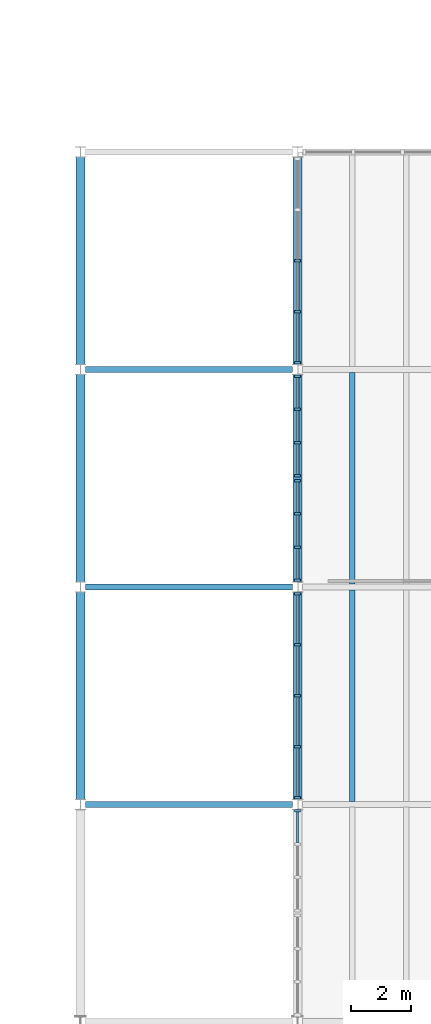
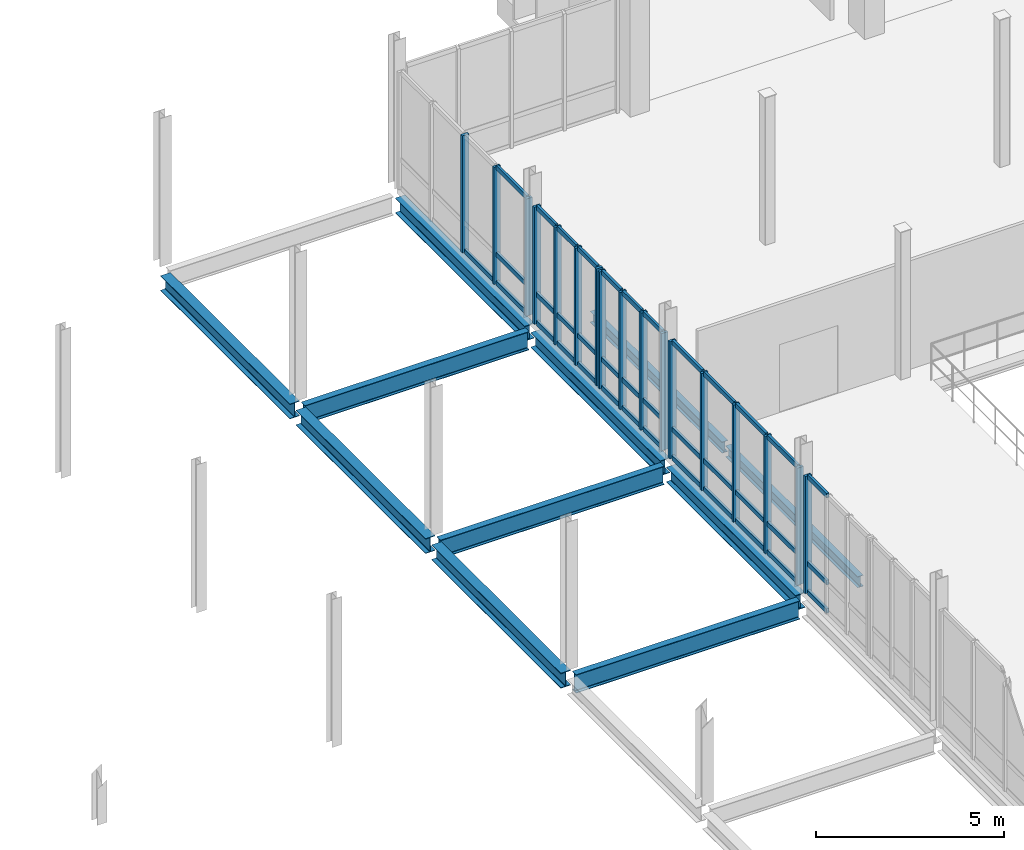
# One storey, part 33 of 77: 54 members, 11 beams, 5 elements without a shape of their own.
"""IFC4 building model written with IfcOpenShell, lengths in metres."""

from ifc_helpers import new_model, si_unit, direction, frame, origin, origin_2d, place, context, subcontext, project, spatial, rectangle, i_section, extrude, material, material_profile, profile_set, type_object, element, aggregate, save


model = new_model("IFC4")

# Units and contexts
model_context = context("Model", 3, precision=1e-05, world=origin(), true_north=direction((0.0, 1.0)))
body_context = subcontext(model_context, "Body", "Model", "MODEL_VIEW")
ifc_project = project(units=[si_unit("LENGTHUNIT", "METRE"), si_unit("AREAUNIT", "SQUARE_METRE"), si_unit("VOLUMEUNIT", "CUBIC_METRE"), si_unit("PLANEANGLEUNIT", "RADIAN"), si_unit("MASSUNIT", "GRAM", prefix="KILO")], contexts=[model_context])

# Site, building, storey
site_placement = place(None, origin())
site = spatial("IfcSite", under=ifc_project, at=site_placement, CompositionType="ELEMENT")
building_placement = place(site_placement, origin())
building = spatial("IfcBuilding", under=site, at=building_placement, Name="Qiaolan Assembly House", CompositionType="ELEMENT")
storey_placement = place(building_placement, frame((0.0, 0.0, 5.39990234375)))
storey = spatial("IfcBuildingStorey", under=building, at=storey_placement, Name="L01", CompositionType="ELEMENT", Elevation=5.39990234375)

# Beams
ifc_material_1 = material(Name="Steel Q355B", Category="steel")
ifc_material_profile_1 = material_profile(ifc_material_1, i_section(OverallWidth=0.300048828125, OverallDepth=0.488037109375, WebThickness=0.010986328125, FlangeThickness=0.01806640625, FilletRadius=0.02001953125, at=origin_2d()), Name="HM 488x300x11x18")
ifc_profile_set_1 = profile_set([ifc_material_profile_1], Name="Steel Q355B")
beam_type_1 = type_object("IfcBeamType", Name="BM-STL-HM488", PredefinedType="BEAM", material=ifc_profile_set_1)
for number, where, z_axis, x_axis, name in (
    (1, (21.60009765625, 64.965087890625, -0.5439453125), (0.0, 1.0, 0.0), (-1.0, 0.0, 0.0), "SB-04 beam BMY-HL-L01-00-04"),
    (2, (21.60009765625, 72.1650390625, -0.5439453125), (0.0, 1.0, 0.0), (-1.0, 0.0, 0.0), "SB-04 beam BMY-HL-L01-00-05"),
):
    element("IfcBeam", number, at=place(storey_placement, frame(where, z_axis=z_axis, x_axis=x_axis)), inside=storey, type_object=beam_type_1, Name=name, PredefinedType="BEAM", context=body_context, shape_type="SweptSolid", body=[
        extrude(i_section(OverallWidth=0.300048828125, OverallDepth=0.488037109375, WebThickness=0.010986328125, FlangeThickness=0.01806640625, FilletRadius=0.02001953125, at=origin_2d()), origin(), (0.0, 0.0, 1.0), 6.869873046875),
    ])
beam_1_placement = place(storey_placement, frame((21.60009765625, 79.364990234375, -0.5439453125), z_axis=(0.0, 1.0, 0.0), x_axis=(-1.0, 0.0, 0.0)))
element("IfcBeam", 3, at=beam_1_placement, inside=storey, type_object=beam_type_1, Name="SB-04 beam BMY-HL-L01-00-06", PredefinedType="BEAM", context=body_context, shape_type="SweptSolid", body=[
    extrude(i_section(OverallWidth=0.300048828125, OverallDepth=0.488037109375, WebThickness=0.010986328125, FlangeThickness=0.01806640625, FilletRadius=0.02001953125, at=origin_2d()), origin(), (0.0, 0.0, 1.0), 6.8701171875),
])
for number, where, z_axis, x_axis, name in (
    (4, (28.800048828125, 64.965087890625, -0.5439453125), (0.0, 1.0, 0.0), (-1.0, 0.0, 0.0), "SB-04 beam BMY-HL-L01-01-04"),
    (5, (28.800048828125, 72.1650390625, -0.5439453125), (0.0, 1.0, 0.0), (-1.0, 0.0, 0.0), "SB-04 beam BMY-HL-L01-01-05"),
):
    element("IfcBeam", number, at=place(storey_placement, frame(where, z_axis=z_axis, x_axis=x_axis)), inside=storey, type_object=beam_type_1, Name=name, PredefinedType="BEAM", context=body_context, shape_type="SweptSolid", body=[
        extrude(i_section(OverallWidth=0.300048828125, OverallDepth=0.488037109375, WebThickness=0.010986328125, FlangeThickness=0.01806640625, FilletRadius=0.02001953125, at=origin_2d()), origin(), (0.0, 0.0, 1.0), 6.869873046875),
    ])
beam_2_placement = place(storey_placement, frame((28.800048828125, 79.364990234375, -0.5439453125), z_axis=(0.0, 1.0, 0.0), x_axis=(-1.0, 0.0, 0.0)))
element("IfcBeam", 6, at=beam_2_placement, inside=storey, type_object=beam_type_1, Name="SB-04 beam BMY-HL-L01-01-06", PredefinedType="BEAM", context=body_context, shape_type="SweptSolid", body=[
    extrude(i_section(OverallWidth=0.300048828125, OverallDepth=0.488037109375, WebThickness=0.010986328125, FlangeThickness=0.01806640625, FilletRadius=0.02001953125, at=origin_2d()), origin(), (0.0, 0.0, 1.0), 6.8701171875),
])
ifc_material_profile_2 = material_profile(ifc_material_1, i_section(OverallWidth=0.199951171875, OverallDepth=0.60009765625, WebThickness=0.010986328125, FlangeThickness=0.01708984375, FilletRadius=0.02001953125, at=origin_2d()), Name="HN 600x200x11x17")
ifc_profile_set_2 = profile_set([ifc_material_profile_2], Name="Steel Q355B")
beam_type_2 = type_object("IfcBeamType", Name="BM-STL-HN600", PredefinedType="BEAM", material=ifc_profile_set_2)
for number, where, z_axis, x_axis, name in (
    (7, (21.764892578125, 64.800048828125, -0.599853515625), (1.0, 0.0, 0.0), (0.0, 1.0, 0.0), "SB-03 beam BMX-HL-L01-00-04"),
    (8, (21.764892578125, 72.0, -0.599853515625), (1.0, 0.0, 0.0), (0.0, 1.0, 0.0), "SB-03 beam BMX-HL-L01-00-05"),
    (9, (21.764892578125, 79.199951171875, -0.599853515625), (1.0, 0.0, 0.0), (0.0, 1.0, 0.0), "SB-03 beam BMX-HL-L01-00-06"),
):
    element("IfcBeam", number, at=place(storey_placement, frame(where, z_axis=z_axis, x_axis=x_axis)), inside=storey, type_object=beam_type_2, Name=name, PredefinedType="BEAM", context=body_context, shape_type="SweptSolid", body=[
        extrude(i_section(OverallWidth=0.199951171875, OverallDepth=0.60009765625, WebThickness=0.010986328125, FlangeThickness=0.01708984375, FilletRadius=0.02001953125, at=origin_2d()), origin(), (0.0, 0.0, 1.0), 6.8701171875),
    ])

# Curtain wall, member
ifc_material_2 = material(Name="Anodised bronze aluminium", Category="aluminium")
curtain_wall_type = type_object("IfcCurtainWallType", Name="CW-HALL-UPPER-480", PredefinedType="NOTDEFINED", material=ifc_material_2)
curtain_wall_1_placement = place(storey_placement, origin())
curtain_wall_1 = element("IfcCurtainWall", 10, at=curtain_wall_1_placement, inside=storey, type_object=curtain_wall_type, Name="CW-01 Hall West facade L01-3B", PredefinedType="NOTDEFINED")
ifc_material_profile_3 = material_profile(ifc_material_2, rectangle(XDim=0.0859375, YDim=0.199951171875, at=origin_2d()), Name="MUL 86x200")
ifc_profile_set_3 = profile_set([ifc_material_profile_3], Name="Anodised bronze aluminium")
member_type_1 = type_object("IfcMemberType", Name="CW-HALL-UPPER-480-MUL", PredefinedType="MULLION", material=ifc_profile_set_3)
member_1_placement = place(storey_placement, frame((28.800048828125, 64.580078125, 0.0), z_axis=(0.0, 0.0, 1.0), x_axis=(0.0, 1.0, 0.0)))
member_1 = element("IfcMember", 11, at=member_1_placement, type_object=member_type_1, Name="ML-02 mullion CW-HALL-W-L01-3B-4", PredefinedType="MULLION", context=body_context, shape_type="SweptSolid", body=[
    extrude(rectangle(XDim=0.0859375, YDim=0.199951171875, at=origin_2d()), origin(), (0.0, 0.0, 1.0), 3.800048828125),
])

# Curtain wall, members
curtain_wall_2_placement = place(storey_placement, origin())
curtain_wall_2 = element("IfcCurtainWall", 12, at=curtain_wall_2_placement, inside=storey, type_object=curtain_wall_type, Name="CW-01 Hall West facade L01-4", PredefinedType="NOTDEFINED")
member_2_placement = place(storey_placement, frame((28.800048828125, 65.02001953125, 0.0), z_axis=(0.0, 0.0, 1.0), x_axis=(0.0, 1.0, 0.0)))
member_2 = element("IfcMember", 13, at=member_2_placement, type_object=member_type_1, Name="ML-02 mullion CW-HALL-W-L01-4-1", PredefinedType="MULLION", context=body_context, shape_type="SweptSolid", body=[
    extrude(rectangle(XDim=0.0859375, YDim=0.199951171875, at=origin_2d()), origin(), (0.0, 0.0, 1.0), 3.800048828125),
])
member_3_placement = place(storey_placement, frame((28.800048828125, 66.7099609375, 0.0), z_axis=(0.0, 0.0, 1.0), x_axis=(0.0, 1.0, 0.0)))
member_3 = element("IfcMember", 14, at=member_3_placement, type_object=member_type_1, Name="ML-02 mullion CW-HALL-W-L01-4-2", PredefinedType="MULLION", context=body_context, shape_type="SweptSolid", body=[
    extrude(rectangle(XDim=0.0859375, YDim=0.199951171875, at=origin_2d()), origin(), (0.0, 0.0, 1.0), 3.800048828125),
])
member_4_placement = place(storey_placement, frame((28.800048828125, 68.39990234375, 0.0), z_axis=(0.0, 0.0, 1.0), x_axis=(0.0, 1.0, 0.0)))
member_4 = element("IfcMember", 15, at=member_4_placement, type_object=member_type_1, Name="ML-02 mullion CW-HALL-W-L01-4-3", PredefinedType="MULLION", context=body_context, shape_type="SweptSolid", body=[
    extrude(rectangle(XDim=0.0859375, YDim=0.199951171875, at=origin_2d()), origin(), (0.0, 0.0, 1.0), 3.800048828125),
])
member_5_placement = place(storey_placement, frame((28.800048828125, 70.090087890625, 0.0), z_axis=(0.0, 0.0, 1.0), x_axis=(0.0, 1.0, 0.0)))
member_5 = element("IfcMember", 16, at=member_5_placement, type_object=member_type_1, Name="ML-02 mullion CW-HALL-W-L01-4-4", PredefinedType="MULLION", context=body_context, shape_type="SweptSolid", body=[
    extrude(rectangle(XDim=0.0859375, YDim=0.199951171875, at=origin_2d()), origin(), (0.0, 0.0, 1.0), 3.800048828125),
])
member_6_placement = place(storey_placement, frame((28.800048828125, 71.780029296875, 0.0), z_axis=(0.0, 0.0, 1.0), x_axis=(0.0, 1.0, 0.0)))
member_6 = element("IfcMember", 17, at=member_6_placement, type_object=member_type_1, Name="ML-02 mullion CW-HALL-W-L01-4-5", PredefinedType="MULLION", context=body_context, shape_type="SweptSolid", body=[
    extrude(rectangle(XDim=0.0859375, YDim=0.199951171875, at=origin_2d()), origin(), (0.0, 0.0, 1.0), 3.800048828125),
])

curtain_wall_3_placement = place(storey_placement, origin())
curtain_wall_3 = element("IfcCurtainWall", 18, at=curtain_wall_3_placement, inside=storey, type_object=curtain_wall_type, Name="CW-01 Hall West facade L01-5A", PredefinedType="NOTDEFINED")
member_7_placement = place(storey_placement, frame((28.800048828125, 72.219970703125, 0.0), z_axis=(0.0, 0.0, 1.0), x_axis=(0.0, 1.0, 0.0)))
member_7 = element("IfcMember", 19, at=member_7_placement, type_object=member_type_1, Name="ML-02 mullion CW-HALL-W-L01-5A-1", PredefinedType="MULLION", context=body_context, shape_type="SweptSolid", body=[
    extrude(rectangle(XDim=0.0859375, YDim=0.199951171875, at=origin_2d()), origin(), (0.0, 0.0, 1.0), 3.800048828125),
])
member_8_placement = place(storey_placement, frame((28.800048828125, 73.320068359375, 0.0), z_axis=(0.0, 0.0, 1.0), x_axis=(0.0, 1.0, 0.0)))
member_8 = element("IfcMember", 20, at=member_8_placement, type_object=member_type_1, Name="ML-02 mullion CW-HALL-W-L01-5A-2", PredefinedType="MULLION", context=body_context, shape_type="SweptSolid", body=[
    extrude(rectangle(XDim=0.0859375, YDim=0.199951171875, at=origin_2d()), origin(), (0.0, 0.0, 1.0), 3.800048828125),
])
member_9_placement = place(storey_placement, frame((28.800048828125, 74.419921875, 0.0), z_axis=(0.0, 0.0, 1.0), x_axis=(0.0, 1.0, 0.0)))
member_9 = element("IfcMember", 21, at=member_9_placement, type_object=member_type_1, Name="ML-02 mullion CW-HALL-W-L01-5A-3", PredefinedType="MULLION", context=body_context, shape_type="SweptSolid", body=[
    extrude(rectangle(XDim=0.0859375, YDim=0.199951171875, at=origin_2d()), origin(), (0.0, 0.0, 1.0), 3.800048828125),
])
member_10_placement = place(storey_placement, frame((28.800048828125, 75.52001953125, 0.0), z_axis=(0.0, 0.0, 1.0), x_axis=(0.0, 1.0, 0.0)))
member_10 = element("IfcMember", 22, at=member_10_placement, type_object=member_type_1, Name="ML-02 mullion CW-HALL-W-L01-5A-4", PredefinedType="MULLION", context=body_context, shape_type="SweptSolid", body=[
    extrude(rectangle(XDim=0.0859375, YDim=0.199951171875, at=origin_2d()), origin(), (0.0, 0.0, 1.0), 3.800048828125),
])

curtain_wall_4_placement = place(storey_placement, origin())
curtain_wall_4 = element("IfcCurtainWall", 23, at=curtain_wall_4_placement, inside=storey, type_object=curtain_wall_type, Name="CW-01 Hall West facade L01-5B", PredefinedType="NOTDEFINED")
member_11_placement = place(storey_placement, frame((28.800048828125, 75.679931640625, 0.0), z_axis=(0.0, 0.0, 1.0), x_axis=(0.0, 1.0, 0.0)))
member_11 = element("IfcMember", 24, at=member_11_placement, type_object=member_type_1, Name="ML-02 mullion CW-HALL-W-L01-5B-1", PredefinedType="MULLION", context=body_context, shape_type="SweptSolid", body=[
    extrude(rectangle(XDim=0.0859375, YDim=0.199951171875, at=origin_2d()), origin(), (0.0, 0.0, 1.0), 3.800048828125),
])
member_12_placement = place(storey_placement, frame((28.800048828125, 76.780029296875, 0.0), z_axis=(0.0, 0.0, 1.0), x_axis=(0.0, 1.0, 0.0)))
member_12 = element("IfcMember", 25, at=member_12_placement, type_object=member_type_1, Name="ML-02 mullion CW-HALL-W-L01-5B-2", PredefinedType="MULLION", context=body_context, shape_type="SweptSolid", body=[
    extrude(rectangle(XDim=0.0859375, YDim=0.199951171875, at=origin_2d()), origin(), (0.0, 0.0, 1.0), 3.800048828125),
])
member_13_placement = place(storey_placement, frame((28.800048828125, 77.8798828125, 0.0), z_axis=(0.0, 0.0, 1.0), x_axis=(0.0, 1.0, 0.0)))
member_13 = element("IfcMember", 26, at=member_13_placement, type_object=member_type_1, Name="ML-02 mullion CW-HALL-W-L01-5B-3", PredefinedType="MULLION", context=body_context, shape_type="SweptSolid", body=[
    extrude(rectangle(XDim=0.0859375, YDim=0.199951171875, at=origin_2d()), origin(), (0.0, 0.0, 1.0), 3.800048828125),
])
member_14_placement = place(storey_placement, frame((28.800048828125, 78.97998046875, 0.0), z_axis=(0.0, 0.0, 1.0), x_axis=(0.0, 1.0, 0.0)))
member_14 = element("IfcMember", 27, at=member_14_placement, type_object=member_type_1, Name="ML-02 mullion CW-HALL-W-L01-5B-4", PredefinedType="MULLION", context=body_context, shape_type="SweptSolid", body=[
    extrude(rectangle(XDim=0.0859375, YDim=0.199951171875, at=origin_2d()), origin(), (0.0, 0.0, 1.0), 3.800048828125),
])

curtain_wall_5_placement = place(storey_placement, origin())
curtain_wall_5 = element("IfcCurtainWall", 28, at=curtain_wall_5_placement, inside=storey, type_object=curtain_wall_type, Name="CW-01 Hall West facade L01-6", PredefinedType="NOTDEFINED")
member_15_placement = place(storey_placement, frame((28.800048828125, 79.419921875, 0.0), z_axis=(0.0, 0.0, 1.0), x_axis=(0.0, 1.0, 0.0)))
member_15 = element("IfcMember", 29, at=member_15_placement, type_object=member_type_1, Name="ML-02 mullion CW-HALL-W-L01-6-1", PredefinedType="MULLION", context=body_context, shape_type="SweptSolid", body=[
    extrude(rectangle(XDim=0.0859375, YDim=0.199951171875, at=origin_2d()), origin(), (0.0, 0.0, 1.0), 3.800048828125),
])
member_16_placement = place(storey_placement, frame((28.800048828125, 81.110107421875, 0.0), z_axis=(0.0, 0.0, 1.0), x_axis=(0.0, 1.0, 0.0)))
member_16 = element("IfcMember", 30, at=member_16_placement, type_object=member_type_1, Name="ML-02 mullion CW-HALL-W-L01-6-2", PredefinedType="MULLION", context=body_context, shape_type="SweptSolid", body=[
    extrude(rectangle(XDim=0.0859375, YDim=0.199951171875, at=origin_2d()), origin(), (0.0, 0.0, 1.0), 3.800048828125),
])
member_17_placement = place(storey_placement, frame((28.800048828125, 82.800048828125, 0.0), z_axis=(0.0, 0.0, 1.0), x_axis=(0.0, 1.0, 0.0)))
member_17 = element("IfcMember", 31, at=member_17_placement, type_object=member_type_1, Name="ML-02 mullion CW-HALL-W-L01-6-3", PredefinedType="MULLION", context=body_context, shape_type="SweptSolid", body=[
    extrude(rectangle(XDim=0.0859375, YDim=0.199951171875, at=origin_2d()), origin(), (0.0, 0.0, 1.0), 3.800048828125),
])

# Member
ifc_material_profile_4 = material_profile(ifc_material_2, rectangle(XDim=0.075927734375, YDim=0.14990234375, at=origin_2d()), Name="TRN 76x150")
ifc_profile_set_4 = profile_set([ifc_material_profile_4], Name="Anodised bronze aluminium")
member_type_2 = type_object("IfcMemberType", Name="CW-HALL-UPPER-480-TRN", PredefinedType="USERDEFINED", material=ifc_profile_set_4)
member_18_placement = place(storey_placement, frame((28.800048828125, 63.52294921875, 0.030029296875), z_axis=(0.0, 1.0, 0.0), x_axis=(-1.0, 0.0, 0.0)))
member_18 = element("IfcMember", 32, at=member_18_placement, type_object=member_type_2, Name="TR-02 transom CW-HALL-W-L01-3B-3-1", ObjectType="TRANSOM", PredefinedType="USERDEFINED", context=body_context, shape_type="SweptSolid", body=[
    extrude(rectangle(XDim=0.075927734375, YDim=0.14990234375, at=origin_2d()), origin(), (0.0, 0.0, 1.0), 1.01416015625),
])

member_19_placement = place(storey_placement, frame((28.800048828125, 63.52294921875, 0.9501953125), z_axis=(0.0, 1.0, 0.0), x_axis=(-1.0, 0.0, 0.0)))
member_19 = element("IfcMember", 33, at=member_19_placement, type_object=member_type_2, Name="TR-02 transom CW-HALL-W-L01-3B-3-2", ObjectType="TRANSOM", PredefinedType="USERDEFINED", context=body_context, shape_type="SweptSolid", body=[
    extrude(rectangle(XDim=0.075927734375, YDim=0.14990234375, at=origin_2d()), origin(), (0.0, 0.0, 1.0), 1.01416015625),
])

member_20_placement = place(storey_placement, frame((28.800048828125, 63.52294921875, 3.77001953125), z_axis=(0.0, 1.0, 0.0), x_axis=(-1.0, 0.0, 0.0)))
member_20 = element("IfcMember", 34, at=member_20_placement, type_object=member_type_2, Name="TR-02 transom CW-HALL-W-L01-3B-3-3", ObjectType="TRANSOM", PredefinedType="USERDEFINED", context=body_context, shape_type="SweptSolid", body=[
    extrude(rectangle(XDim=0.075927734375, YDim=0.14990234375, at=origin_2d()), origin(), (0.0, 0.0, 1.0), 1.01416015625),
])

aggregate(curtain_wall_1, [member_1, member_18, member_19, member_20])

member_21_placement = place(storey_placement, frame((28.800048828125, 65.06298828125, 0.030029296875), z_axis=(0.0, 1.0, 0.0), x_axis=(-1.0, 0.0, 0.0)))
member_21 = element("IfcMember", 35, at=member_21_placement, type_object=member_type_2, Name="TR-02 transom CW-HALL-W-L01-4-1-1", ObjectType="TRANSOM", PredefinedType="USERDEFINED", context=body_context, shape_type="SweptSolid", body=[
    extrude(rectangle(XDim=0.075927734375, YDim=0.14990234375, at=origin_2d()), origin(), (0.0, 0.0, 1.0), 1.60400390625),
])

member_22_placement = place(storey_placement, frame((28.800048828125, 65.06298828125, 0.9501953125), z_axis=(0.0, 1.0, 0.0), x_axis=(-1.0, 0.0, 0.0)))
member_22 = element("IfcMember", 36, at=member_22_placement, type_object=member_type_2, Name="TR-02 transom CW-HALL-W-L01-4-1-2", ObjectType="TRANSOM", PredefinedType="USERDEFINED", context=body_context, shape_type="SweptSolid", body=[
    extrude(rectangle(XDim=0.075927734375, YDim=0.14990234375, at=origin_2d()), origin(), (0.0, 0.0, 1.0), 1.60400390625),
])

member_23_placement = place(storey_placement, frame((28.800048828125, 65.06298828125, 3.77001953125), z_axis=(0.0, 1.0, 0.0), x_axis=(-1.0, 0.0, 0.0)))
member_23 = element("IfcMember", 37, at=member_23_placement, type_object=member_type_2, Name="TR-02 transom CW-HALL-W-L01-4-1-3", ObjectType="TRANSOM", PredefinedType="USERDEFINED", context=body_context, shape_type="SweptSolid", body=[
    extrude(rectangle(XDim=0.075927734375, YDim=0.14990234375, at=origin_2d()), origin(), (0.0, 0.0, 1.0), 1.60400390625),
])

member_24_placement = place(storey_placement, frame((28.800048828125, 66.7529296875, 0.030029296875), z_axis=(0.0, 1.0, 0.0), x_axis=(-1.0, 0.0, 0.0)))
member_24 = element("IfcMember", 38, at=member_24_placement, type_object=member_type_2, Name="TR-02 transom CW-HALL-W-L01-4-2-1", ObjectType="TRANSOM", PredefinedType="USERDEFINED", context=body_context, shape_type="SweptSolid", body=[
    extrude(rectangle(XDim=0.075927734375, YDim=0.14990234375, at=origin_2d()), origin(), (0.0, 0.0, 1.0), 1.60400390625),
])

member_25_placement = place(storey_placement, frame((28.800048828125, 66.7529296875, 0.9501953125), z_axis=(0.0, 1.0, 0.0), x_axis=(-1.0, 0.0, 0.0)))
member_25 = element("IfcMember", 39, at=member_25_placement, type_object=member_type_2, Name="TR-02 transom CW-HALL-W-L01-4-2-2", ObjectType="TRANSOM", PredefinedType="USERDEFINED", context=body_context, shape_type="SweptSolid", body=[
    extrude(rectangle(XDim=0.075927734375, YDim=0.14990234375, at=origin_2d()), origin(), (0.0, 0.0, 1.0), 1.60400390625),
])

member_26_placement = place(storey_placement, frame((28.800048828125, 66.7529296875, 3.77001953125), z_axis=(0.0, 1.0, 0.0), x_axis=(-1.0, 0.0, 0.0)))
member_26 = element("IfcMember", 40, at=member_26_placement, type_object=member_type_2, Name="TR-02 transom CW-HALL-W-L01-4-2-3", ObjectType="TRANSOM", PredefinedType="USERDEFINED", context=body_context, shape_type="SweptSolid", body=[
    extrude(rectangle(XDim=0.075927734375, YDim=0.14990234375, at=origin_2d()), origin(), (0.0, 0.0, 1.0), 1.60400390625),
])

member_27_placement = place(storey_placement, frame((28.800048828125, 68.443115234375, 0.030029296875), z_axis=(0.0, 1.0, 0.0), x_axis=(-1.0, 0.0, 0.0)))
member_27 = element("IfcMember", 41, at=member_27_placement, type_object=member_type_2, Name="TR-02 transom CW-HALL-W-L01-4-3-1", ObjectType="TRANSOM", PredefinedType="USERDEFINED", context=body_context, shape_type="SweptSolid", body=[
    extrude(rectangle(XDim=0.075927734375, YDim=0.14990234375, at=origin_2d()), origin(), (0.0, 0.0, 1.0), 1.60400390625),
])

member_28_placement = place(storey_placement, frame((28.800048828125, 68.443115234375, 0.9501953125), z_axis=(0.0, 1.0, 0.0), x_axis=(-1.0, 0.0, 0.0)))
member_28 = element("IfcMember", 42, at=member_28_placement, type_object=member_type_2, Name="TR-02 transom CW-HALL-W-L01-4-3-2", ObjectType="TRANSOM", PredefinedType="USERDEFINED", context=body_context, shape_type="SweptSolid", body=[
    extrude(rectangle(XDim=0.075927734375, YDim=0.14990234375, at=origin_2d()), origin(), (0.0, 0.0, 1.0), 1.60400390625),
])

member_29_placement = place(storey_placement, frame((28.800048828125, 68.443115234375, 3.77001953125), z_axis=(0.0, 1.0, 0.0), x_axis=(-1.0, 0.0, 0.0)))
member_29 = element("IfcMember", 43, at=member_29_placement, type_object=member_type_2, Name="TR-02 transom CW-HALL-W-L01-4-3-3", ObjectType="TRANSOM", PredefinedType="USERDEFINED", context=body_context, shape_type="SweptSolid", body=[
    extrude(rectangle(XDim=0.075927734375, YDim=0.14990234375, at=origin_2d()), origin(), (0.0, 0.0, 1.0), 1.60400390625),
])

member_30_placement = place(storey_placement, frame((28.800048828125, 70.133056640625, 0.030029296875), z_axis=(0.0, 1.0, 0.0), x_axis=(-1.0, 0.0, 0.0)))
member_30 = element("IfcMember", 44, at=member_30_placement, type_object=member_type_2, Name="TR-02 transom CW-HALL-W-L01-4-4-1", ObjectType="TRANSOM", PredefinedType="USERDEFINED", context=body_context, shape_type="SweptSolid", body=[
    extrude(rectangle(XDim=0.075927734375, YDim=0.14990234375, at=origin_2d()), origin(), (0.0, 0.0, 1.0), 1.60400390625),
])

member_31_placement = place(storey_placement, frame((28.800048828125, 70.133056640625, 0.9501953125), z_axis=(0.0, 1.0, 0.0), x_axis=(-1.0, 0.0, 0.0)))
member_31 = element("IfcMember", 45, at=member_31_placement, type_object=member_type_2, Name="TR-02 transom CW-HALL-W-L01-4-4-2", ObjectType="TRANSOM", PredefinedType="USERDEFINED", context=body_context, shape_type="SweptSolid", body=[
    extrude(rectangle(XDim=0.075927734375, YDim=0.14990234375, at=origin_2d()), origin(), (0.0, 0.0, 1.0), 1.60400390625),
])

member_32_placement = place(storey_placement, frame((28.800048828125, 70.133056640625, 3.77001953125), z_axis=(0.0, 1.0, 0.0), x_axis=(-1.0, 0.0, 0.0)))
member_32 = element("IfcMember", 46, at=member_32_placement, type_object=member_type_2, Name="TR-02 transom CW-HALL-W-L01-4-4-3", ObjectType="TRANSOM", PredefinedType="USERDEFINED", context=body_context, shape_type="SweptSolid", body=[
    extrude(rectangle(XDim=0.075927734375, YDim=0.14990234375, at=origin_2d()), origin(), (0.0, 0.0, 1.0), 1.60400390625),
])

aggregate(curtain_wall_2, [member_2, member_3, member_4, member_5, member_6, member_21, member_22, member_23, member_24, member_25, member_26, member_27, member_28, member_29, member_30, member_31, member_32])

member_33_placement = place(storey_placement, frame((28.800048828125, 72.262939453125, 0.030029296875), z_axis=(0.0, 1.0, 0.0), x_axis=(-1.0, 0.0, 0.0)))
member_33 = element("IfcMember", 47, at=member_33_placement, type_object=member_type_2, Name="TR-02 transom CW-HALL-W-L01-5A-1-1", ObjectType="TRANSOM", PredefinedType="USERDEFINED", context=body_context, shape_type="SweptSolid", body=[
    extrude(rectangle(XDim=0.075927734375, YDim=0.14990234375, at=origin_2d()), origin(), (0.0, 0.0, 1.0), 1.01416015625),
])

member_34_placement = place(storey_placement, frame((28.800048828125, 72.262939453125, 0.9501953125), z_axis=(0.0, 1.0, 0.0), x_axis=(-1.0, 0.0, 0.0)))
member_34 = element("IfcMember", 48, at=member_34_placement, type_object=member_type_2, Name="TR-02 transom CW-HALL-W-L01-5A-1-2", ObjectType="TRANSOM", PredefinedType="USERDEFINED", context=body_context, shape_type="SweptSolid", body=[
    extrude(rectangle(XDim=0.075927734375, YDim=0.14990234375, at=origin_2d()), origin(), (0.0, 0.0, 1.0), 1.01416015625),
])

member_35_placement = place(storey_placement, frame((28.800048828125, 72.262939453125, 3.77001953125), z_axis=(0.0, 1.0, 0.0), x_axis=(-1.0, 0.0, 0.0)))
member_35 = element("IfcMember", 49, at=member_35_placement, type_object=member_type_2, Name="TR-02 transom CW-HALL-W-L01-5A-1-3", ObjectType="TRANSOM", PredefinedType="USERDEFINED", context=body_context, shape_type="SweptSolid", body=[
    extrude(rectangle(XDim=0.075927734375, YDim=0.14990234375, at=origin_2d()), origin(), (0.0, 0.0, 1.0), 1.01416015625),
])

member_36_placement = place(storey_placement, frame((28.800048828125, 73.363037109375, 0.030029296875), z_axis=(0.0, 1.0, 0.0), x_axis=(-1.0, 0.0, 0.0)))
member_36 = element("IfcMember", 50, at=member_36_placement, type_object=member_type_2, Name="TR-02 transom CW-HALL-W-L01-5A-2-1", ObjectType="TRANSOM", PredefinedType="USERDEFINED", context=body_context, shape_type="SweptSolid", body=[
    extrude(rectangle(XDim=0.075927734375, YDim=0.14990234375, at=origin_2d()), origin(), (0.0, 0.0, 1.0), 1.013916015625),
])

member_37_placement = place(storey_placement, frame((28.800048828125, 73.363037109375, 0.9501953125), z_axis=(0.0, 1.0, 0.0), x_axis=(-1.0, 0.0, 0.0)))
member_37 = element("IfcMember", 51, at=member_37_placement, type_object=member_type_2, Name="TR-02 transom CW-HALL-W-L01-5A-2-2", ObjectType="TRANSOM", PredefinedType="USERDEFINED", context=body_context, shape_type="SweptSolid", body=[
    extrude(rectangle(XDim=0.075927734375, YDim=0.14990234375, at=origin_2d()), origin(), (0.0, 0.0, 1.0), 1.013916015625),
])

member_38_placement = place(storey_placement, frame((28.800048828125, 73.363037109375, 3.77001953125), z_axis=(0.0, 1.0, 0.0), x_axis=(-1.0, 0.0, 0.0)))
member_38 = element("IfcMember", 52, at=member_38_placement, type_object=member_type_2, Name="TR-02 transom CW-HALL-W-L01-5A-2-3", ObjectType="TRANSOM", PredefinedType="USERDEFINED", context=body_context, shape_type="SweptSolid", body=[
    extrude(rectangle(XDim=0.075927734375, YDim=0.14990234375, at=origin_2d()), origin(), (0.0, 0.0, 1.0), 1.013916015625),
])

member_39_placement = place(storey_placement, frame((28.800048828125, 74.462890625, 0.030029296875), z_axis=(0.0, 1.0, 0.0), x_axis=(-1.0, 0.0, 0.0)))
member_39 = element("IfcMember", 53, at=member_39_placement, type_object=member_type_2, Name="TR-02 transom CW-HALL-W-L01-5A-3-1", ObjectType="TRANSOM", PredefinedType="USERDEFINED", context=body_context, shape_type="SweptSolid", body=[
    extrude(rectangle(XDim=0.075927734375, YDim=0.14990234375, at=origin_2d()), origin(), (0.0, 0.0, 1.0), 1.01416015625),
])

member_40_placement = place(storey_placement, frame((28.800048828125, 74.462890625, 0.9501953125), z_axis=(0.0, 1.0, 0.0), x_axis=(-1.0, 0.0, 0.0)))
member_40 = element("IfcMember", 54, at=member_40_placement, type_object=member_type_2, Name="TR-02 transom CW-HALL-W-L01-5A-3-2", ObjectType="TRANSOM", PredefinedType="USERDEFINED", context=body_context, shape_type="SweptSolid", body=[
    extrude(rectangle(XDim=0.075927734375, YDim=0.14990234375, at=origin_2d()), origin(), (0.0, 0.0, 1.0), 1.01416015625),
])

member_41_placement = place(storey_placement, frame((28.800048828125, 74.462890625, 3.77001953125), z_axis=(0.0, 1.0, 0.0), x_axis=(-1.0, 0.0, 0.0)))
member_41 = element("IfcMember", 55, at=member_41_placement, type_object=member_type_2, Name="TR-02 transom CW-HALL-W-L01-5A-3-3", ObjectType="TRANSOM", PredefinedType="USERDEFINED", context=body_context, shape_type="SweptSolid", body=[
    extrude(rectangle(XDim=0.075927734375, YDim=0.14990234375, at=origin_2d()), origin(), (0.0, 0.0, 1.0), 1.01416015625),
])

aggregate(curtain_wall_3, [member_7, member_8, member_9, member_10, member_33, member_34, member_35, member_36, member_37, member_38, member_39, member_40, member_41])

member_42_placement = place(storey_placement, frame((28.800048828125, 75.722900390625, 0.030029296875), z_axis=(0.0, 1.0, 0.0), x_axis=(-1.0, 0.0, 0.0)))
member_42 = element("IfcMember", 56, at=member_42_placement, type_object=member_type_2, Name="TR-02 transom CW-HALL-W-L01-5B-1-1", ObjectType="TRANSOM", PredefinedType="USERDEFINED", context=body_context, shape_type="SweptSolid", body=[
    extrude(rectangle(XDim=0.075927734375, YDim=0.14990234375, at=origin_2d()), origin(), (0.0, 0.0, 1.0), 1.01416015625),
])

member_43_placement = place(storey_placement, frame((28.800048828125, 75.722900390625, 0.9501953125), z_axis=(0.0, 1.0, 0.0), x_axis=(-1.0, 0.0, 0.0)))
member_43 = element("IfcMember", 57, at=member_43_placement, type_object=member_type_2, Name="TR-02 transom CW-HALL-W-L01-5B-1-2", ObjectType="TRANSOM", PredefinedType="USERDEFINED", context=body_context, shape_type="SweptSolid", body=[
    extrude(rectangle(XDim=0.075927734375, YDim=0.14990234375, at=origin_2d()), origin(), (0.0, 0.0, 1.0), 1.01416015625),
])

member_44_placement = place(storey_placement, frame((28.800048828125, 75.722900390625, 3.77001953125), z_axis=(0.0, 1.0, 0.0), x_axis=(-1.0, 0.0, 0.0)))
member_44 = element("IfcMember", 58, at=member_44_placement, type_object=member_type_2, Name="TR-02 transom CW-HALL-W-L01-5B-1-3", ObjectType="TRANSOM", PredefinedType="USERDEFINED", context=body_context, shape_type="SweptSolid", body=[
    extrude(rectangle(XDim=0.075927734375, YDim=0.14990234375, at=origin_2d()), origin(), (0.0, 0.0, 1.0), 1.01416015625),
])

member_45_placement = place(storey_placement, frame((28.800048828125, 76.822998046875, 0.030029296875), z_axis=(0.0, 1.0, 0.0), x_axis=(-1.0, 0.0, 0.0)))
member_45 = element("IfcMember", 59, at=member_45_placement, type_object=member_type_2, Name="TR-02 transom CW-HALL-W-L01-5B-2-1", ObjectType="TRANSOM", PredefinedType="USERDEFINED", context=body_context, shape_type="SweptSolid", body=[
    extrude(rectangle(XDim=0.075927734375, YDim=0.14990234375, at=origin_2d()), origin(), (0.0, 0.0, 1.0), 1.013916015625),
])

member_46_placement = place(storey_placement, frame((28.800048828125, 76.822998046875, 0.9501953125), z_axis=(0.0, 1.0, 0.0), x_axis=(-1.0, 0.0, 0.0)))
member_46 = element("IfcMember", 60, at=member_46_placement, type_object=member_type_2, Name="TR-02 transom CW-HALL-W-L01-5B-2-2", ObjectType="TRANSOM", PredefinedType="USERDEFINED", context=body_context, shape_type="SweptSolid", body=[
    extrude(rectangle(XDim=0.075927734375, YDim=0.14990234375, at=origin_2d()), origin(), (0.0, 0.0, 1.0), 1.013916015625),
])

member_47_placement = place(storey_placement, frame((28.800048828125, 76.822998046875, 3.77001953125), z_axis=(0.0, 1.0, 0.0), x_axis=(-1.0, 0.0, 0.0)))
member_47 = element("IfcMember", 61, at=member_47_placement, type_object=member_type_2, Name="TR-02 transom CW-HALL-W-L01-5B-2-3", ObjectType="TRANSOM", PredefinedType="USERDEFINED", context=body_context, shape_type="SweptSolid", body=[
    extrude(rectangle(XDim=0.075927734375, YDim=0.14990234375, at=origin_2d()), origin(), (0.0, 0.0, 1.0), 1.013916015625),
])

member_48_placement = place(storey_placement, frame((28.800048828125, 77.923095703125, 0.030029296875), z_axis=(0.0, 1.0, 0.0), x_axis=(-1.0, 0.0, 0.0)))
member_48 = element("IfcMember", 62, at=member_48_placement, type_object=member_type_2, Name="TR-02 transom CW-HALL-W-L01-5B-3-1", ObjectType="TRANSOM", PredefinedType="USERDEFINED", context=body_context, shape_type="SweptSolid", body=[
    extrude(rectangle(XDim=0.075927734375, YDim=0.14990234375, at=origin_2d()), origin(), (0.0, 0.0, 1.0), 1.013916015625),
])

member_49_placement = place(storey_placement, frame((28.800048828125, 77.923095703125, 0.9501953125), z_axis=(0.0, 1.0, 0.0), x_axis=(-1.0, 0.0, 0.0)))
member_49 = element("IfcMember", 63, at=member_49_placement, type_object=member_type_2, Name="TR-02 transom CW-HALL-W-L01-5B-3-2", ObjectType="TRANSOM", PredefinedType="USERDEFINED", context=body_context, shape_type="SweptSolid", body=[
    extrude(rectangle(XDim=0.075927734375, YDim=0.14990234375, at=origin_2d()), origin(), (0.0, 0.0, 1.0), 1.013916015625),
])

member_50_placement = place(storey_placement, frame((28.800048828125, 77.923095703125, 3.77001953125), z_axis=(0.0, 1.0, 0.0), x_axis=(-1.0, 0.0, 0.0)))
member_50 = element("IfcMember", 64, at=member_50_placement, type_object=member_type_2, Name="TR-02 transom CW-HALL-W-L01-5B-3-3", ObjectType="TRANSOM", PredefinedType="USERDEFINED", context=body_context, shape_type="SweptSolid", body=[
    extrude(rectangle(XDim=0.075927734375, YDim=0.14990234375, at=origin_2d()), origin(), (0.0, 0.0, 1.0), 1.013916015625),
])

aggregate(curtain_wall_4, [member_11, member_12, member_13, member_14, member_42, member_43, member_44, member_45, member_46, member_47, member_48, member_49, member_50])

member_51_placement = place(storey_placement, frame((28.800048828125, 79.462890625, 0.030029296875), z_axis=(0.0, 1.0, 0.0), x_axis=(-1.0, 0.0, 0.0)))
member_51 = element("IfcMember", 65, at=member_51_placement, type_object=member_type_2, Name="TR-02 transom CW-HALL-W-L01-6-1-1", ObjectType="TRANSOM", PredefinedType="USERDEFINED", context=body_context, shape_type="SweptSolid", body=[
    extrude(rectangle(XDim=0.075927734375, YDim=0.14990234375, at=origin_2d()), origin(), (0.0, 0.0, 1.0), 1.60400390625),
])

member_52_placement = place(storey_placement, frame((28.800048828125, 79.462890625, 0.9501953125), z_axis=(0.0, 1.0, 0.0), x_axis=(-1.0, 0.0, 0.0)))
member_52 = element("IfcMember", 66, at=member_52_placement, type_object=member_type_2, Name="TR-02 transom CW-HALL-W-L01-6-1-2", ObjectType="TRANSOM", PredefinedType="USERDEFINED", context=body_context, shape_type="SweptSolid", body=[
    extrude(rectangle(XDim=0.075927734375, YDim=0.14990234375, at=origin_2d()), origin(), (0.0, 0.0, 1.0), 1.60400390625),
])

member_53_placement = place(storey_placement, frame((28.800048828125, 79.462890625, 3.77001953125), z_axis=(0.0, 1.0, 0.0), x_axis=(-1.0, 0.0, 0.0)))
member_53 = element("IfcMember", 67, at=member_53_placement, type_object=member_type_2, Name="TR-02 transom CW-HALL-W-L01-6-1-3", ObjectType="TRANSOM", PredefinedType="USERDEFINED", context=body_context, shape_type="SweptSolid", body=[
    extrude(rectangle(XDim=0.075927734375, YDim=0.14990234375, at=origin_2d()), origin(), (0.0, 0.0, 1.0), 1.60400390625),
])

member_54_placement = place(storey_placement, frame((28.800048828125, 81.153076171875, 0.030029296875), z_axis=(0.0, 1.0, 0.0), x_axis=(-1.0, 0.0, 0.0)))
member_54 = element("IfcMember", 68, at=member_54_placement, type_object=member_type_2, Name="TR-02 transom CW-HALL-W-L01-6-2-1", ObjectType="TRANSOM", PredefinedType="USERDEFINED", context=body_context, shape_type="SweptSolid", body=[
    extrude(rectangle(XDim=0.075927734375, YDim=0.14990234375, at=origin_2d()), origin(), (0.0, 0.0, 1.0), 1.60400390625),
])

aggregate(curtain_wall_5, [member_15, member_16, member_17, member_51, member_52, member_53, member_54])

# Beams
ifc_material_profile_5 = material_profile(ifc_material_1, i_section(OverallWidth=0.179931640625, OverallDepth=0.360107421875, WebThickness=0.008056640625, FlangeThickness=0.011962890625, FilletRadius=0.013916015625, at=origin_2d()), Name="HN 360x180x8x12")
ifc_profile_set_5 = profile_set([ifc_material_profile_5], Name="Steel Q355B")
beam_type_3 = type_object("IfcBeamType", Name="JST-STL-HN360", PredefinedType="JOIST", material=ifc_profile_set_5)
for number, where, z_axis, x_axis, name in (
    (69, (30.60009765625, 64.89404296875, -0.47998046875), (0.0, 1.0, 0.0), (-1.0, 0.0, 0.0), "SJ-06 beam JST-HL-L01-01-04-1"),
    (70, (30.60009765625, 72.093994140625, -0.47998046875), (0.0, 1.0, 0.0), (-1.0, 0.0, 0.0), "SJ-06 beam JST-HL-L01-01-05-1"),
):
    element("IfcBeam", number, at=place(storey_placement, frame(where, z_axis=z_axis, x_axis=x_axis)), inside=storey, type_object=beam_type_3, Name=name, PredefinedType="JOIST", context=body_context, shape_type="SweptSolid", body=[
        extrude(i_section(OverallWidth=0.179931640625, OverallDepth=0.360107421875, WebThickness=0.008056640625, FlangeThickness=0.011962890625, FilletRadius=0.013916015625, at=origin_2d()), origin(), (0.0, 0.0, 1.0), 7.011962890625),
    ])

save(model, "model.ifc")
